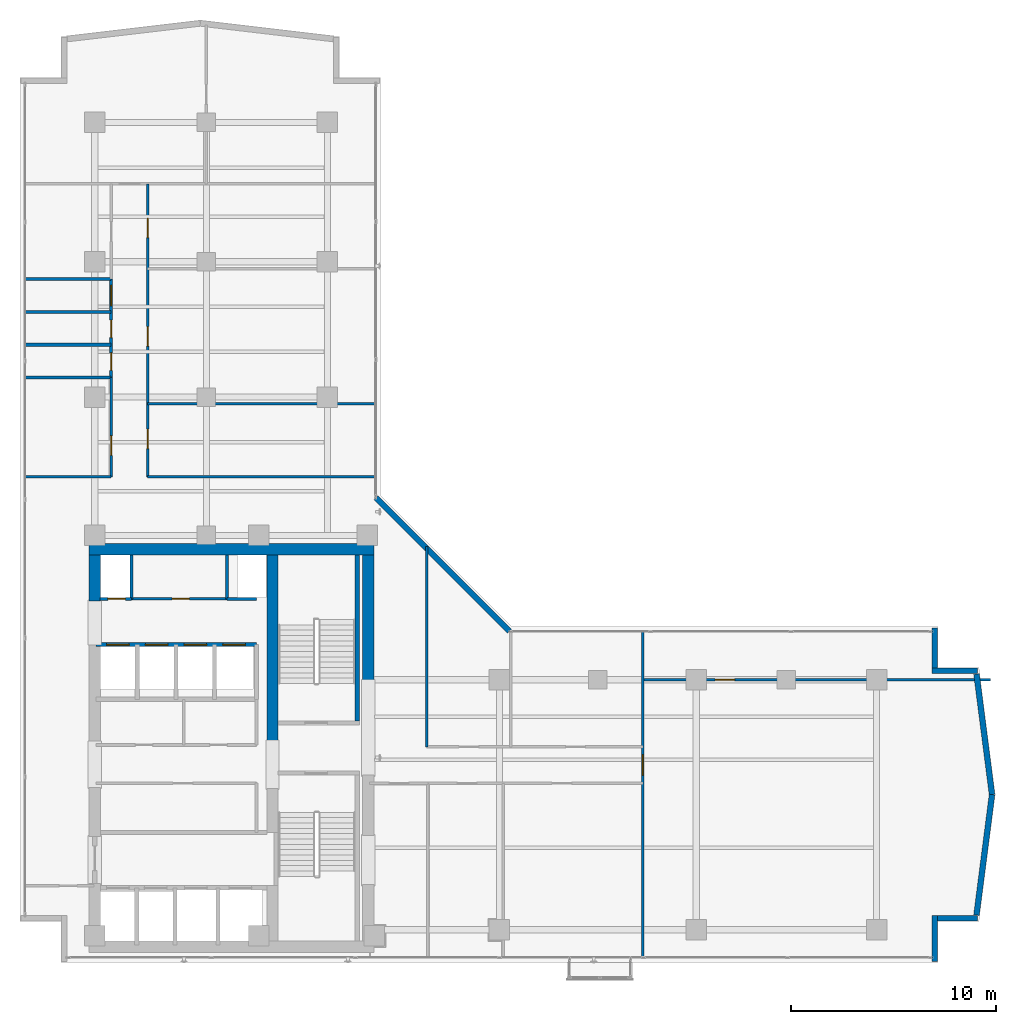
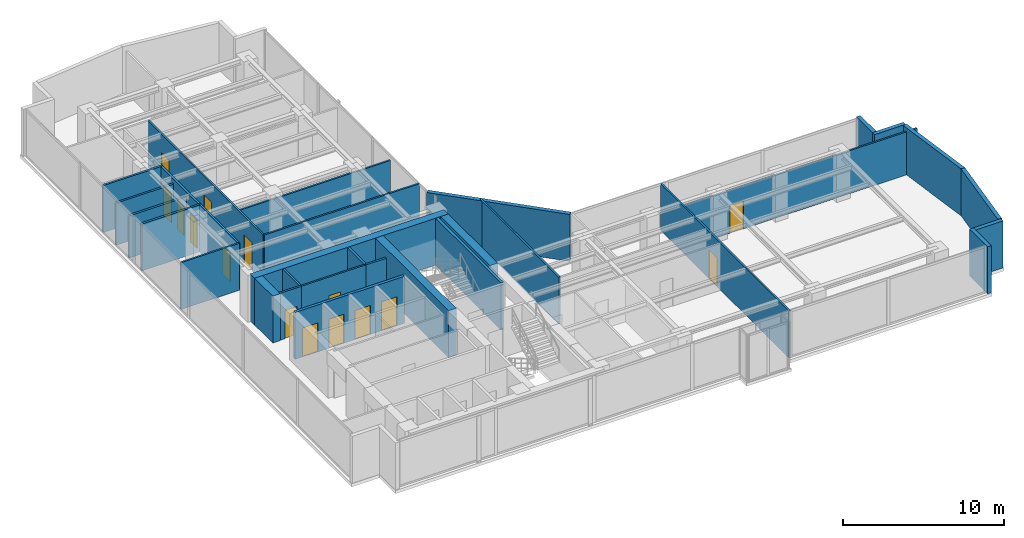
# One storey, part 18 of 23: 31 walls, 15 doors, 15 openings.
"""IFC4 building model written with IfcOpenShell, lengths in metres."""

from ifc_helpers import new_model, si_unit, direction, frame, frame_2d, origin, place, context, subcontext, project, spatial, rectangle, extrude, material, layer, layer_set, type_object, element, fill, save


model = new_model("IFC4")

# Units and contexts
model_context = context("Model", 3, precision=1e-05, world=origin(), true_north=direction((0.0, 1.0)))
body_context = subcontext(model_context, "Body", "Model", "MODEL_VIEW")
ifc_project = project(units=[si_unit("LENGTHUNIT", "METRE"), si_unit("AREAUNIT", "SQUARE_METRE"), si_unit("VOLUMEUNIT", "CUBIC_METRE"), si_unit("PLANEANGLEUNIT", "RADIAN"), si_unit("MASSUNIT", "GRAM", prefix="KILO")], contexts=[model_context])

# Site, building, storey
site_placement = place(None, origin())
site = spatial("IfcSite", under=ifc_project, at=site_placement, CompositionType="ELEMENT")
building_placement = place(site_placement, origin())
building = spatial("IfcBuilding", under=site, at=building_placement, Name="Kolvaren Waterfront Exchange", CompositionType="ELEMENT")
storey_placement = place(building_placement, frame((0.0, 0.0, 234.89990234375)))
storey = spatial("IfcBuildingStorey", under=building, at=storey_placement, Name="L60", CompositionType="ELEMENT", Elevation=234.89990234375)

# Walls
ifc_material_1 = material(Name="Precast concrete C40/50", Category="concrete")
ifc_layer_1 = layer(ifc_material_1, 0.280029296875, Name="Precast concrete C40/50")
ifc_layer_set_1 = layer_set([ifc_layer_1], Name="Precast concrete C40/50")
wall_type_1 = type_object("IfcWallType", Name="ARC-EXT-TERR-280", PredefinedType="SOLIDWALL", material=ifc_layer_set_1)
wall_1_placement = place(storey_placement, frame((48.43994140625, 3.659912109375, 0.0), z_axis=(0.0, 0.0, 1.0), x_axis=(0.0, 1.0, 0.0)))
element("IfcWall", 1, at=wall_1_placement, inside=storey, type_object=wall_type_1, Name="L60 notched corner spandrel pier SE-A", PredefinedType="SOLIDWALL", context=body_context, shape_type="SweptSolid", body=[
    extrude(rectangle(XDim=2.239990234375, YDim=0.280029296875, at=frame_2d((1.1201171875, 0.0))), origin(), (0.0, 0.0, 1.0), 3.56005859375),
])
wall_2_placement = place(storey_placement, frame((48.580078125, 5.760009765625, 0.0), z_axis=(0.0, 0.0, 1.0), x_axis=(1.0, 0.0, 0.0)))
element("IfcWall", 2, at=wall_2_placement, inside=storey, type_object=wall_type_1, Name="L60 notched corner spandrel pier SE-B", PredefinedType="SOLIDWALL", context=body_context, shape_type="SweptSolid", body=[
    extrude(rectangle(XDim=1.9599609375, YDim=0.280029296875, at=frame_2d((0.97998046875, 0.0))), origin(), (0.0, 0.0, 1.0), 3.56005859375),
])
wall_3_placement = place(storey_placement, frame((48.43994140625, 17.965087890625, 0.0), z_axis=(0.0, 0.0, 1.0), x_axis=(0.0, 1.0, 0.0)))
element("IfcWall", 3, at=wall_3_placement, inside=storey, type_object=wall_type_1, Name="L60 notched corner spandrel pier ENE-A", PredefinedType="SOLIDWALL", context=body_context, shape_type="SweptSolid", body=[
    extrude(rectangle(XDim=1.974853515625, YDim=0.280029296875, at=frame_2d((0.9873046875, 0.0))), origin(), (0.0, 0.0, 1.0), 3.56005859375),
])
wall_4_placement = place(storey_placement, frame((48.300048828125, 17.840087890625, 0.0), z_axis=(0.0, 0.0, 1.0), x_axis=(1.0, 0.0, 0.0)))
element("IfcWall", 4, at=wall_4_placement, inside=storey, type_object=wall_type_1, Name="L60 notched corner spandrel pier ENE-B", PredefinedType="SOLIDWALL", context=body_context, shape_type="SweptSolid", body=[
    extrude(rectangle(XDim=2.239990234375, YDim=0.280029296875, at=frame_2d((1.1201171875, 0.0))), origin(), (0.0, 0.0, 1.0), 3.56005859375),
])
wall_5_placement = place(storey_placement, frame((27.68505859375, 19.77490234375, 0.0), z_axis=(0.0, 0.0, 1.0), x_axis=(-0.707106781187, 0.707106781187, 0.0)))
element("IfcWall", 5, at=wall_5_placement, inside=storey, type_object=wall_type_1, Name="L60 notched corner spandrel pier ELBOW", PredefinedType="SOLIDWALL", context=body_context, shape_type="SweptSolid", body=[
    extrude(rectangle(XDim=9.20654296875, YDim=0.280029296875, at=frame_2d((4.603271484375, 0.0))), origin(), (0.0, 0.0, 1.0), 3.56005859375),
])
for number, where, z_axis, x_axis, name in (
    (6, (50.479736328125, 5.91796875, 0.0), (0.0, 0.0, 1.0), (0.127970031595, 0.991778035154, 0.0), "L60 east prow faceted facade wall 1"),
    (7, (51.23876953125, 11.79931640625, 0.0), (0.0, 0.0, 1.0), (-0.127970031595, 0.991778035154, 0.0), "L60 east prow faceted facade wall 2"),
):
    element("IfcWall", number, at=place(storey_placement, frame(where, z_axis=z_axis, x_axis=x_axis)), inside=storey, type_object=wall_type_1, Name=name, PredefinedType="SOLIDWALL", context=body_context, shape_type="SweptSolid", body=[
        extrude(rectangle(XDim=5.931396484375, YDim=0.280029296875, at=frame_2d((2.9658203125, 0.0))), origin(), (0.0, 0.0, 1.0), 3.56005859375),
    ])

# Wall, opening, door
ifc_material_2 = material(Name="Acoustic gypsum steel stud", Category="steel")
ifc_layer_2 = layer(ifc_material_2, 0.125, Name="Acoustic gypsum steel stud")
ifc_layer_set_2 = layer_set([ifc_layer_2], Name="Acoustic gypsum steel stud")
wall_type_2 = type_object("IfcWallType", Name="ARC-PART-125", PredefinedType="PARTITIONING", material=ifc_layer_set_2)
wall_6_placement = place(storey_placement, frame((9.25, 21.35009765625, 0.0), z_axis=(0.0, 0.0, 1.0), x_axis=(1.0, 0.0, 0.0)))
wall_6 = element("IfcWall", 8, at=wall_6_placement, inside=storey, type_object=wall_type_2, Name="L60 interior wall PW-L60-SVC-HI-S", PredefinedType="PARTITIONING", context=body_context, shape_type="SweptSolid", body=[
    extrude(rectangle(XDim=4.64990234375, YDim=0.125, at=frame_2d((2.324951171875, 0.0))), origin(), (0.0, 0.0, 1.0), 3.56005859375),
])
opening_1_placement = place(wall_6_placement, frame((1.971435546875, 0.0, 0.0)))
opening_1 = element("IfcOpeningElement", 9, at=opening_1_placement, cuts=wall_6, Name="Opening D01", PredefinedType="OPENING", context=body_context, shape_type="SweptSolid", body=[
    extrude(rectangle(XDim=0.85009765625, YDim=2.14990234375, at=frame_2d((0.425048828125, 1.074951171875))), frame((0.0, 0.072509765625, 0.0), z_axis=(0.0, -1.0, 0.0), x_axis=(1.0, 0.0, 0.0)), (0.0, 0.0, 1.0), 0.14501953125),
])
ifc_material_3 = material(Name="Oak veneer timber leaf", Category="wood")
door_type_1 = type_object("IfcDoorType", Name="ARC-DR-900", OperationType="NOTDEFINED", PredefinedType="DOOR", material=ifc_material_3)
door_1_placement = place(opening_1_placement, origin())
door_1 = element("IfcDoor", 10, at=door_1_placement, inside=storey, type_object=door_type_1, Name="L60 door DR-L60-SVC-DR-1 (D01)", OperationType="SINGLE_SWING_RIGHT", OverallHeight=2.14990234375, OverallWidth=0.85009765625, PredefinedType="DOOR", context=body_context, shape_type="SweptSolid", body=[
    extrude(rectangle(XDim=0.85009765625, YDim=2.14990234375, at=frame_2d((0.425048828125, 1.074951171875))), frame((0.0, 0.02490234375, 0.0), z_axis=(0.0, -1.0, 0.0), x_axis=(1.0, 0.0, 0.0)), (0.0, 0.0, 1.0), 0.050048828125),
])
fill(opening_1, door_1)

wall_7_placement = place(storey_placement, frame((8.25, 27.300048828125, 0.0), z_axis=(0.0, 0.0, 1.0), x_axis=(0.0, 1.0, 0.0)))
wall_7 = element("IfcWall", 11, at=wall_7_placement, inside=storey, type_object=wall_type_2, Name="L60 interior wall PW-L60-PREWC-E", PredefinedType="PARTITIONING", context=body_context, shape_type="SweptSolid", body=[
    extrude(rectangle(XDim=4.849853515625, YDim=0.125, at=frame_2d((2.4248046875, 0.0))), origin(), (0.0, 0.0, 1.0), 3.56005859375),
])
opening_2_placement = place(wall_7_placement, frame((1.050048828125, 0.0, 0.0)))
opening_2 = element("IfcOpeningElement", 12, at=opening_2_placement, cuts=wall_7, Name="Opening D02", PredefinedType="OPENING", context=body_context, shape_type="SweptSolid", body=[
    extrude(rectangle(XDim=0.949951171875, YDim=2.14990234375, at=frame_2d((0.47509765625, 1.074951171875))), frame((0.0, 0.072509765625, 0.0), z_axis=(0.0, -1.0, 0.0), x_axis=(1.0, 0.0, 0.0)), (0.0, 0.0, 1.0), 0.14501953125),
])
ifc_material_4 = material(Name="Oak veneer acoustic timber", Category="wood")
door_type_2 = type_object("IfcDoorType", Name="ARC-DR-950", OperationType="NOTDEFINED", PredefinedType="DOOR", material=ifc_material_4)
door_2_placement = place(opening_2_placement, origin())
door_2 = element("IfcDoor", 13, at=door_2_placement, inside=storey, type_object=door_type_2, Name="L60 door DR-L60-PREWC-D (D02)", OperationType="SINGLE_SWING_LEFT", OverallHeight=2.14990234375, OverallWidth=0.949951171875, PredefinedType="DOOR", context=body_context, shape_type="SweptSolid", body=[
    extrude(rectangle(XDim=0.949951171875, YDim=2.14990234375, at=frame_2d((0.47509765625, 1.074951171875))), frame((0.0, 0.02490234375, 0.0), z_axis=(0.0, -1.0, 0.0), x_axis=(1.0, 0.0, 0.0)), (0.0, 0.0, 1.0), 0.050048828125),
])
fill(opening_2, door_2)

# Wall
wall_8_placement = place(storey_placement, frame((4.0400390625, 27.300048828125, 0.0), z_axis=(0.0, 0.0, 1.0), x_axis=(1.0, 0.0, 0.0)))
element("IfcWall", 14, at=wall_8_placement, inside=storey, type_object=wall_type_2, Name="L60 interior wall PW-L60-PREWC-S", PredefinedType="PARTITIONING", context=body_context, shape_type="SweptSolid", body=[
    extrude(rectangle(XDim=4.2099609375, YDim=0.125, at=frame_2d((2.10498046875, 0.0))), origin(), (0.0, 0.0, 1.0), 3.56005859375),
])

# Wall, opening, door
wall_9_placement = place(storey_placement, frame((34.199951171875, 3.840087890625, 0.0), z_axis=(0.0, 0.0, 1.0), x_axis=(0.0, 1.0, 0.0)))
wall_9 = element("IfcWall", 15, at=wall_9_placement, inside=storey, type_object=wall_type_2, Name="L60 interior wall PW-L60-ETIP-W", PredefinedType="PARTITIONING", context=body_context, shape_type="SweptSolid", body=[
    extrude(rectangle(XDim=15.919921875, YDim=0.125, at=frame_2d((7.9599609375, 0.0))), origin(), (0.0, 0.0, 1.0), 3.56005859375),
])
opening_3_placement = place(wall_9_placement, frame((8.89990234375, 0.0, 0.0)))
opening_3 = element("IfcOpeningElement", 16, at=opening_3_placement, cuts=wall_9, Name="Opening D03", PredefinedType="OPENING", context=body_context, shape_type="SweptSolid", body=[
    extrude(rectangle(XDim=1.0, YDim=2.199951171875, at=frame_2d((0.5, 1.10009765625))), frame((0.0, 0.072509765625, 0.0), z_axis=(0.0, -1.0, 0.0), x_axis=(1.0, 0.0, 0.0)), (0.0, 0.0, 1.0), 0.14501953125),
])
ifc_material_5 = material(Name="Oak veneer accessible timber", Category="wood")
door_type_3 = type_object("IfcDoorType", Name="ARC-DR-1000", OperationType="NOTDEFINED", PredefinedType="DOOR", material=ifc_material_5)
door_3_placement = place(opening_3_placement, origin())
door_3 = element("IfcDoor", 17, at=door_3_placement, inside=storey, type_object=door_type_3, Name="L60 door DR-L60-ETIP1-D (D03)", OperationType="SINGLE_SWING_LEFT", OverallHeight=2.199951171875, OverallWidth=1.0, PredefinedType="DOOR", context=body_context, shape_type="SweptSolid", body=[
    extrude(rectangle(XDim=1.0, YDim=2.199951171875, at=frame_2d((0.5, 1.10009765625))), frame((0.0, 0.02490234375, 0.0), z_axis=(0.0, -1.0, 0.0), x_axis=(1.0, 0.0, 0.0)), (0.0, 0.0, 1.0), 0.050048828125),
])
fill(opening_3, door_3)

wall_10_placement = place(storey_placement, frame((34.199951171875, 17.39990234375, 0.0), z_axis=(0.0, 0.0, 1.0), x_axis=(1.0, 0.0, 0.0)))
wall_10 = element("IfcWall", 18, at=wall_10_placement, inside=storey, type_object=wall_type_2, Name="L60 interior wall PW-L60-ETIP-MID", PredefinedType="PARTITIONING", context=body_context, shape_type="SweptSolid", body=[
    extrude(rectangle(XDim=16.9599609375, YDim=0.125, at=frame_2d((8.47998046875, 0.0))), origin(), (0.0, 0.0, 1.0), 3.260009765625),
])
opening_4_placement = place(wall_10_placement, frame((3.52490234375, 0.0, 0.0)))
opening_4 = element("IfcOpeningElement", 19, at=opening_4_placement, cuts=wall_10, Name="Opening D02", PredefinedType="OPENING", context=body_context, shape_type="SweptSolid", body=[
    extrude(rectangle(XDim=0.949951171875, YDim=2.14990234375, at=frame_2d((0.47509765625, 1.074951171875))), frame((0.0, 0.072509765625, 0.0), z_axis=(0.0, -1.0, 0.0), x_axis=(1.0, 0.0, 0.0)), (0.0, 0.0, 1.0), 0.14501953125),
])
door_4_placement = place(opening_4_placement, origin())
door_4 = element("IfcDoor", 20, at=door_4_placement, inside=storey, type_object=door_type_2, Name="L60 door DR-L60-ETIP2-D (D02)", OperationType="SINGLE_SWING_RIGHT", OverallHeight=2.14990234375, OverallWidth=0.949951171875, PredefinedType="DOOR", context=body_context, shape_type="SweptSolid", body=[
    extrude(rectangle(XDim=0.949951171875, YDim=2.14990234375, at=frame_2d((0.47509765625, 1.074951171875))), frame((0.0, 0.02490234375, 0.0), z_axis=(0.0, -1.0, 0.0), x_axis=(1.0, 0.0, 0.0)), (0.0, 0.0, 1.0), 0.050048828125),
])
fill(opening_4, door_4)

# Walls
wall_11_placement = place(storey_placement, frame((23.64990234375, 14.1298828125, 0.0), z_axis=(0.0, 0.0, 1.0), x_axis=(0.0, 1.0, 0.0)))
element("IfcWall", 21, at=wall_11_placement, inside=storey, type_object=wall_type_2, Name="L60 interior wall PW-L60-EN-W0", PredefinedType="PARTITIONING", context=body_context, shape_type="SweptSolid", body=[
    extrude(rectangle(XDim=9.780029296875, YDim=0.125, at=frame_2d((4.89013671875, 0.0))), origin(), (0.0, 0.0, 1.0), 3.56005859375),
])
wall_12_placement = place(storey_placement, frame((10.030029296875, 27.300048828125, 0.0), z_axis=(0.0, 0.0, 1.0), x_axis=(1.0, 0.0, 0.0)))
element("IfcWall", 22, at=wall_12_placement, inside=storey, type_object=wall_type_2, Name="L60 interior wall PW-L60-NE-S0", PredefinedType="PARTITIONING", context=body_context, shape_type="SweptSolid", body=[
    extrude(rectangle(XDim=11.1298828125, YDim=0.125, at=frame_2d((5.56494140625, 0.0))), origin(), (0.0, 0.0, 1.0), 3.56005859375),
])

# Wall, openings, doors
wall_13_placement = place(storey_placement, frame((10.030029296875, 27.300048828125, 0.0), z_axis=(0.0, 0.0, 1.0), x_axis=(0.0, 1.0, 0.0)))
wall_13 = element("IfcWall", 23, at=wall_13_placement, inside=storey, type_object=wall_type_2, Name="L60 interior wall PW-L60-NE-CORR", PredefinedType="PARTITIONING", context=body_context, shape_type="SweptSolid", body=[
    extrude(rectangle(XDim=14.300048828125, YDim=0.125, at=frame_2d((7.14990234375, 0.0))), origin(), (0.0, 0.0, 1.0), 3.56005859375),
])
opening_5_placement = place(wall_13_placement, frame((1.385498046875, 0.0, 0.0)))
opening_5 = element("IfcOpeningElement", 24, at=opening_5_placement, cuts=wall_13, Name="Opening D02", PredefinedType="OPENING", context=body_context, shape_type="SweptSolid", body=[
    extrude(rectangle(XDim=0.949951171875, YDim=2.14990234375, at=frame_2d((0.47509765625, 1.074951171875))), frame((0.0, 0.072509765625, 0.0), z_axis=(0.0, -1.0, 0.0), x_axis=(1.0, 0.0, 0.0)), (0.0, 0.0, 1.0), 0.14501953125),
])
opening_6_placement = place(wall_13_placement, frame((6.389892578125, 0.0, 0.0)))
opening_6 = element("IfcOpeningElement", 25, at=opening_6_placement, cuts=wall_13, Name="Opening D02", PredefinedType="OPENING", context=body_context, shape_type="SweptSolid", body=[
    extrude(rectangle(XDim=0.949951171875, YDim=2.14990234375, at=frame_2d((0.47509765625, 1.074951171875))), frame((0.0, 0.072509765625, 0.0), z_axis=(0.0, -1.0, 0.0), x_axis=(1.0, 0.0, 0.0)), (0.0, 0.0, 1.0), 0.14501953125),
])
opening_7_placement = place(wall_13_placement, frame((11.679443359375, 0.0, 0.0)))
opening_7 = element("IfcOpeningElement", 26, at=opening_7_placement, cuts=wall_13, Name="Opening D02", PredefinedType="OPENING", context=body_context, shape_type="SweptSolid", body=[
    extrude(rectangle(XDim=0.949951171875, YDim=2.14990234375, at=frame_2d((0.47509765625, 1.074951171875))), frame((0.0, 0.072509765625, 0.0), z_axis=(0.0, -1.0, 0.0), x_axis=(1.0, 0.0, 0.0)), (0.0, 0.0, 1.0), 0.14501953125),
])
door_5_placement = place(opening_5_placement, origin())
door_5 = element("IfcDoor", 27, at=door_5_placement, inside=storey, type_object=door_type_2, Name="L60 door DR-L60-NE-D-1 (D02)", OperationType="SINGLE_SWING_RIGHT", OverallHeight=2.14990234375, OverallWidth=0.949951171875, PredefinedType="DOOR", context=body_context, shape_type="SweptSolid", body=[
    extrude(rectangle(XDim=0.949951171875, YDim=2.14990234375, at=frame_2d((0.47509765625, 1.074951171875))), frame((0.0, 0.02490234375, 0.0), z_axis=(0.0, -1.0, 0.0), x_axis=(1.0, 0.0, 0.0)), (0.0, 0.0, 1.0), 0.050048828125),
])
fill(opening_5, door_5)
door_6_placement = place(opening_6_placement, origin())
door_6 = element("IfcDoor", 28, at=door_6_placement, inside=storey, type_object=door_type_2, Name="L60 door DR-L60-NE-D-2 (D02)", OperationType="SINGLE_SWING_LEFT", OverallHeight=2.14990234375, OverallWidth=0.949951171875, PredefinedType="DOOR", context=body_context, shape_type="SweptSolid", body=[
    extrude(rectangle(XDim=0.949951171875, YDim=2.14990234375, at=frame_2d((0.47509765625, 1.074951171875))), frame((0.0, 0.02490234375, 0.0), z_axis=(0.0, -1.0, 0.0), x_axis=(1.0, 0.0, 0.0)), (0.0, 0.0, 1.0), 0.050048828125),
])
fill(opening_6, door_6)
door_7_placement = place(opening_7_placement, origin())
door_7 = element("IfcDoor", 29, at=door_7_placement, inside=storey, type_object=door_type_2, Name="L60 door DR-L60-NE-D-3 (D02)", OperationType="SINGLE_SWING_RIGHT", OverallHeight=2.14990234375, OverallWidth=0.949951171875, PredefinedType="DOOR", context=body_context, shape_type="SweptSolid", body=[
    extrude(rectangle(XDim=0.949951171875, YDim=2.14990234375, at=frame_2d((0.47509765625, 1.074951171875))), frame((0.0, 0.02490234375, 0.0), z_axis=(0.0, -1.0, 0.0), x_axis=(1.0, 0.0, 0.0)), (0.0, 0.0, 1.0), 0.050048828125),
])
fill(opening_7, door_7)

# Walls
wall_14_placement = place(storey_placement, frame((10.030029296875, 30.8798828125, 0.0), z_axis=(0.0, 0.0, 1.0), x_axis=(1.0, 0.0, 0.0)))
element("IfcWall", 30, at=wall_14_placement, inside=storey, type_object=wall_type_2, Name="L60 interior wall PW-L60-NE-DIV-1", PredefinedType="PARTITIONING", context=body_context, shape_type="SweptSolid", body=[
    extrude(rectangle(XDim=11.1298828125, YDim=0.125, at=frame_2d((5.56494140625, 0.0))), origin(), (0.0, 0.0, 1.0), 3.16015625),
])
ifc_material_6 = material(Name="Gypsum fireboard steel stud", Category="steel")
ifc_layer_3 = layer(ifc_material_6, 0.14990234375, Name="Gypsum fireboard steel stud")
ifc_layer_set_3 = layer_set([ifc_layer_3], Name="Gypsum fireboard steel stud")
wall_type_3 = type_object("IfcWallType", Name="ARC-PART-150", PredefinedType="PARTITIONING", material=ifc_layer_set_3)
for number, where, z_axis, x_axis, name in (
    (31, (9.25, 21.35009765625, 0.0), (0.0, 0.0, 1.0), (0.0, 1.0, 0.0), "L60 interior wall PW-L60-SVC-R1"),
    (32, (13.89990234375, 21.35009765625, 0.0), (0.0, 0.0, 1.0), (0.0, 1.0, 0.0), "L60 interior wall PW-L60-SVC-R2"),
):
    element("IfcWall", number, at=place(storey_placement, frame(where, z_axis=z_axis, x_axis=x_axis)), inside=storey, type_object=wall_type_3, Name=name, PredefinedType="PARTITIONING", context=body_context, shape_type="SweptSolid", body=[
        extrude(rectangle(XDim=2.1298828125, YDim=0.14990234375, at=frame_2d((1.06494140625, 0.0))), origin(), (0.0, 0.0, 1.0), 3.56005859375),
    ])

# Wall, opening, door
wall_15_placement = place(storey_placement, frame((7.699951171875, 21.35009765625, 0.0), z_axis=(0.0, 0.0, 1.0), x_axis=(1.0, 0.0, 0.0)))
wall_15 = element("IfcWall", 33, at=wall_15_placement, inside=storey, type_object=wall_type_3, Name="L60 interior wall PW-L60-SVC-RE-S", PredefinedType="PARTITIONING", context=body_context, shape_type="SweptSolid", body=[
    extrude(rectangle(XDim=1.550048828125, YDim=0.14990234375, at=frame_2d((0.77490234375, 0.0))), origin(), (0.0, 0.0, 1.0), 3.56005859375),
])
opening_8_placement = place(wall_15_placement, frame((0.389892578125, 0.0, 0.0)))
opening_8 = element("IfcOpeningElement", 34, at=opening_8_placement, cuts=wall_15, Name="Opening FD1", PredefinedType="OPENING", context=body_context, shape_type="SweptSolid", body=[
    extrude(rectangle(XDim=0.85009765625, YDim=2.14990234375, at=frame_2d((0.425048828125, 1.074951171875))), frame((0.0, 0.0849609375, 0.0), z_axis=(0.0, -1.0, 0.0), x_axis=(1.0, 0.0, 0.0)), (0.0, 0.0, 1.0), 0.169921875),
])
ifc_material_7 = material(Name="Pressed steel fire leaf", Category="steel")
door_type_4 = type_object("IfcDoorType", Name="ARC-FD-900", OperationType="NOTDEFINED", PredefinedType="DOOR", material=ifc_material_7)
door_8_placement = place(opening_8_placement, origin())
door_8 = element("IfcDoor", 35, at=door_8_placement, inside=storey, type_object=door_type_4, Name="L60 door DR-L60-RISER-E-DR (FD1)", OperationType="SINGLE_SWING_LEFT", OverallHeight=2.14990234375, OverallWidth=0.85009765625, PredefinedType="DOOR", context=body_context, shape_type="SweptSolid", body=[
    extrude(rectangle(XDim=0.85009765625, YDim=2.14990234375, at=frame_2d((0.425048828125, 1.074951171875))), frame((0.0, 0.02490234375, 0.0), z_axis=(0.0, -1.0, 0.0), x_axis=(1.0, 0.0, 0.0)), (0.0, 0.0, 1.0), 0.050048828125),
])
fill(opening_8, door_8)

# Walls
wall_16_placement = place(storey_placement, frame((13.89990234375, 21.35009765625, 0.0), z_axis=(0.0, 0.0, 1.0), x_axis=(1.0, 0.0, 0.0)))
element("IfcWall", 36, at=wall_16_placement, inside=storey, type_object=wall_type_3, Name="L60 interior wall PW-L60-SVC-RP-S", PredefinedType="PARTITIONING", context=body_context, shape_type="SweptSolid", body=[
    extrude(rectangle(XDim=1.4501953125, YDim=0.14990234375, at=frame_2d((0.72509765625, 0.0))), origin(), (0.0, 0.0, 1.0), 3.56005859375),
])
ifc_material_8 = material(Name="Moisture-resistant gypsum stud")
ifc_layer_4 = layer(ifc_material_8, 0.14990234375, Name="Moisture-resistant gypsum stud")
ifc_layer_set_4 = layer_set([ifc_layer_4], Name="Moisture-resistant gypsum stud")
wall_type_4 = type_object("IfcWallType", Name="ARC-PLUMB-150", PredefinedType="PLUMBINGWALL", material=ifc_layer_set_4)
wall_17_placement = place(storey_placement, frame((4.0400390625, 32.14990234375, 0.0), z_axis=(0.0, 0.0, 1.0), x_axis=(1.0, 0.0, 0.0)))
element("IfcWall", 37, at=wall_17_placement, inside=storey, type_object=wall_type_4, Name="L60 interior wall PW-L60-WC-0", PredefinedType="PLUMBINGWALL", context=body_context, shape_type="SweptSolid", body=[
    extrude(rectangle(XDim=4.2099609375, YDim=0.14990234375, at=frame_2d((2.10498046875, 0.0))), origin(), (0.0, 0.0, 1.0), 3.56005859375),
])

# Wall, openings, doors
wall_18_placement = place(storey_placement, frame((8.25, 32.14990234375, 0.0), z_axis=(0.0, 0.0, 1.0), x_axis=(0.0, 1.0, 0.0)))
wall_18 = element("IfcWall", 38, at=wall_18_placement, inside=storey, type_object=wall_type_4, Name="L60 interior wall PW-L60-WC-E", PredefinedType="PLUMBINGWALL", context=body_context, shape_type="SweptSolid", body=[
    extrude(rectangle(XDim=4.800048828125, YDim=0.14990234375, at=frame_2d((2.39990234375, 0.0))), origin(), (0.0, 0.0, 1.0), 3.56005859375),
])
opening_9_placement = place(wall_18_placement, frame((0.35009765625, 0.0, 0.0)))
opening_9 = element("IfcOpeningElement", 39, at=opening_9_placement, cuts=wall_18, Name="Opening D01", PredefinedType="OPENING", context=body_context, shape_type="SweptSolid", body=[
    extrude(rectangle(XDim=0.85009765625, YDim=2.14990234375, at=frame_2d((0.425048828125, 1.074951171875))), frame((0.0, 0.0849609375, 0.0), z_axis=(0.0, -1.0, 0.0), x_axis=(1.0, 0.0, 0.0)), (0.0, 0.0, 1.0), 0.169921875),
])
opening_10_placement = place(wall_18_placement, frame((1.949951171875, 0.0, 0.0)))
opening_10 = element("IfcOpeningElement", 40, at=opening_10_placement, cuts=wall_18, Name="Opening D01", PredefinedType="OPENING", context=body_context, shape_type="SweptSolid", body=[
    extrude(rectangle(XDim=0.85009765625, YDim=2.14990234375, at=frame_2d((0.425048828125, 1.074951171875))), frame((0.0, 0.0849609375, 0.0), z_axis=(0.0, -1.0, 0.0), x_axis=(1.0, 0.0, 0.0)), (0.0, 0.0, 1.0), 0.169921875),
])
opening_11_placement = place(wall_18_placement, frame((3.5, 0.0, 0.0)))
opening_11 = element("IfcOpeningElement", 41, at=opening_11_placement, cuts=wall_18, Name="Opening D03", PredefinedType="OPENING", context=body_context, shape_type="SweptSolid", body=[
    extrude(rectangle(XDim=1.0, YDim=2.199951171875, at=frame_2d((0.5, 1.10009765625))), frame((0.0, 0.0849609375, 0.0), z_axis=(0.0, -1.0, 0.0), x_axis=(1.0, 0.0, 0.0)), (0.0, 0.0, 1.0), 0.169921875),
])
door_9_placement = place(opening_11_placement, origin())
door_9 = element("IfcDoor", 42, at=door_9_placement, inside=storey, type_object=door_type_3, Name="L60 door DR-L60-WCA-D (D03)", OperationType="SINGLE_SWING_RIGHT", OverallHeight=2.199951171875, OverallWidth=1.0, PredefinedType="DOOR", context=body_context, shape_type="SweptSolid", body=[
    extrude(rectangle(XDim=1.0, YDim=2.199951171875, at=frame_2d((0.5, 1.10009765625))), frame((0.0, 0.02490234375, 0.0), z_axis=(0.0, -1.0, 0.0), x_axis=(1.0, 0.0, 0.0)), (0.0, 0.0, 1.0), 0.050048828125),
])
fill(opening_11, door_9)
door_10_placement = place(opening_9_placement, origin())
door_10 = element("IfcDoor", 43, at=door_10_placement, inside=storey, type_object=door_type_1, Name="L60 door DR-L60-WCM-D (D01)", OperationType="SINGLE_SWING_RIGHT", OverallHeight=2.14990234375, OverallWidth=0.85009765625, PredefinedType="DOOR", context=body_context, shape_type="SweptSolid", body=[
    extrude(rectangle(XDim=0.85009765625, YDim=2.14990234375, at=frame_2d((0.425048828125, 1.074951171875))), frame((0.0, 0.02490234375, 0.0), z_axis=(0.0, -1.0, 0.0), x_axis=(1.0, 0.0, 0.0)), (0.0, 0.0, 1.0), 0.050048828125),
])
fill(opening_9, door_10)
door_11_placement = place(opening_10_placement, origin())
door_11 = element("IfcDoor", 44, at=door_11_placement, inside=storey, type_object=door_type_1, Name="L60 door DR-L60-WCF-D (D01)", OperationType="SINGLE_SWING_LEFT", OverallHeight=2.14990234375, OverallWidth=0.85009765625, PredefinedType="DOOR", context=body_context, shape_type="SweptSolid", body=[
    extrude(rectangle(XDim=0.85009765625, YDim=2.14990234375, at=frame_2d((0.425048828125, 1.074951171875))), frame((0.0, 0.02490234375, 0.0), z_axis=(0.0, -1.0, 0.0), x_axis=(1.0, 0.0, 0.0)), (0.0, 0.0, 1.0), 0.050048828125),
])
fill(opening_10, door_11)

# Walls
for number, where, z_axis, x_axis, name in (
    (45, (4.0400390625, 33.75, 0.0), (0.0, 0.0, 1.0), (1.0, 0.0, 0.0), "L60 interior wall PW-L60-WC-1"),
    (46, (4.0400390625, 35.35009765625, 0.0), (0.0, 0.0, 1.0), (1.0, 0.0, 0.0), "L60 interior wall PW-L60-WC-2"),
):
    element("IfcWall", number, at=place(storey_placement, frame(where, z_axis=z_axis, x_axis=x_axis)), inside=storey, type_object=wall_type_4, Name=name, PredefinedType="PLUMBINGWALL", context=body_context, shape_type="SweptSolid", body=[
        extrude(rectangle(XDim=4.2099609375, YDim=0.14990234375, at=frame_2d((2.10498046875, 0.0))), origin(), (0.0, 0.0, 1.0), 3.2001953125),
    ])
wall_19_placement = place(storey_placement, frame((4.0400390625, 36.949951171875, 0.0), z_axis=(0.0, 0.0, 1.0), x_axis=(1.0, 0.0, 0.0)))
element("IfcWall", 47, at=wall_19_placement, inside=storey, type_object=wall_type_4, Name="L60 interior wall PW-L60-WC-3", PredefinedType="PLUMBINGWALL", context=body_context, shape_type="SweptSolid", body=[
    extrude(rectangle(XDim=4.2099609375, YDim=0.14990234375, at=frame_2d((2.10498046875, 0.0))), origin(), (0.0, 0.0, 1.0), 3.56005859375),
])
ifc_material_9 = material(Name="Concrete C40/50", Category="concrete")
ifc_layer_5 = layer(ifc_material_9, 0.199951171875, Name="Concrete C40/50")
ifc_layer_set_5 = layer_set([ifc_layer_5], Name="Concrete C40/50")
wall_type_5 = type_object("IfcWallType", Name="ARC-SHAFT-200", PredefinedType="PARTITIONING", material=ifc_layer_set_5)
wall_20_placement = place(storey_placement, frame((20.260009765625, 15.39990234375, 0.0), z_axis=(0.0, 0.0, 1.0), x_axis=(0.0, 1.0, 0.0)))
element("IfcWall", 48, at=wall_20_placement, inside=storey, type_object=wall_type_5, Name="L60 structural stairwell wall PW-L60-ST2-E", PredefinedType="SHEAR", context=body_context, shape_type="SweptSolid", body=[
    extrude(rectangle(XDim=8.090087890625, YDim=0.199951171875, at=frame_2d((4.044921875, 0.0))), origin(), (0.0, 0.0, 1.0), 3.56005859375),
])

# Wall, openings, doors
wall_21_placement = place(storey_placement, frame((7.5, 19.1201171875, 0.0), z_axis=(0.0, 0.0, 1.0), x_axis=(1.0, 0.0, 0.0)))
wall_21 = element("IfcWall", 49, at=wall_21_placement, inside=storey, type_object=wall_type_5, Name="L60 interior wall PW-L60-PH-N", PredefinedType="PARTITIONING", context=body_context, shape_type="SweptSolid", body=[
    extrude(rectangle(XDim=7.85009765625, YDim=0.199951171875, at=frame_2d((3.925048828125, 0.0))), origin(), (0.0, 0.0, 1.0), 3.56005859375),
])
opening_12_placement = place(wall_21_placement, frame((0.530029296875, 0.0, 0.0)))
opening_12 = element("IfcOpeningElement", 50, at=opening_12_placement, cuts=wall_21, Name="Opening LD2", PredefinedType="OPENING", context=body_context, shape_type="SweptSolid", body=[
    extrude(rectangle(XDim=1.10009765625, YDim=2.199951171875, at=frame_2d((0.550048828125, 1.10009765625))), frame((0.0, 0.10986328125, 0.0), z_axis=(0.0, -1.0, 0.0), x_axis=(1.0, 0.0, 0.0)), (0.0, 0.0, 1.0), 0.219970703125),
])
opening_13_placement = place(wall_21_placement, frame((2.419921875, 0.0, 0.0)))
opening_13 = element("IfcOpeningElement", 51, at=opening_13_placement, cuts=wall_21, Name="Opening LD2", PredefinedType="OPENING", context=body_context, shape_type="SweptSolid", body=[
    extrude(rectangle(XDim=1.10009765625, YDim=2.199951171875, at=frame_2d((0.550048828125, 1.10009765625))), frame((0.0, 0.10986328125, 0.0), z_axis=(0.0, -1.0, 0.0), x_axis=(1.0, 0.0, 0.0)), (0.0, 0.0, 1.0), 0.219970703125),
])
opening_14_placement = place(wall_21_placement, frame((4.31005859375, 0.0, 0.0)))
opening_14 = element("IfcOpeningElement", 52, at=opening_14_placement, cuts=wall_21, Name="Opening LD2", PredefinedType="OPENING", context=body_context, shape_type="SweptSolid", body=[
    extrude(rectangle(XDim=1.10009765625, YDim=2.199951171875, at=frame_2d((0.550048828125, 1.10009765625))), frame((0.0, 0.10986328125, 0.0), z_axis=(0.0, -1.0, 0.0), x_axis=(1.0, 0.0, 0.0)), (0.0, 0.0, 1.0), 0.219970703125),
])
opening_15_placement = place(wall_21_placement, frame((6.199951171875, 0.0, 0.0)))
opening_15 = element("IfcOpeningElement", 53, at=opening_15_placement, cuts=wall_21, Name="Opening LD2", PredefinedType="OPENING", context=body_context, shape_type="SweptSolid", body=[
    extrude(rectangle(XDim=1.10009765625, YDim=2.199951171875, at=frame_2d((0.550048828125, 1.10009765625))), frame((0.0, 0.10986328125, 0.0), z_axis=(0.0, -1.0, 0.0), x_axis=(1.0, 0.0, 0.0)), (0.0, 0.0, 1.0), 0.219970703125),
])
ifc_material_10 = material(Name="Brushed bronze sliding landing door", Category="aluminium")
door_type_5 = type_object("IfcDoorType", Name="ARC-LD-PAX", OperationType="SLIDING_TO_LEFT", PredefinedType="DOOR", material=ifc_material_10)
door_12_placement = place(opening_12_placement, origin())
door_12 = element("IfcDoor", 54, at=door_12_placement, inside=storey, type_object=door_type_5, Name="L60 door LD-L60-PH1 (LD2)", OperationType="SLIDING_TO_LEFT", OverallHeight=2.199951171875, OverallWidth=1.10009765625, PredefinedType="DOOR", context=body_context, shape_type="SweptSolid", body=[
    extrude(rectangle(XDim=1.10009765625, YDim=2.199951171875, at=frame_2d((0.550048828125, 1.10009765625))), frame((0.0, 0.02490234375, 0.0), z_axis=(0.0, -1.0, 0.0), x_axis=(1.0, 0.0, 0.0)), (0.0, 0.0, 1.0), 0.050048828125),
])
fill(opening_12, door_12)
door_13_placement = place(opening_13_placement, origin())
door_13 = element("IfcDoor", 55, at=door_13_placement, inside=storey, type_object=door_type_5, Name="L60 door LD-L60-PH2 (LD2)", OperationType="SLIDING_TO_LEFT", OverallHeight=2.199951171875, OverallWidth=1.10009765625, PredefinedType="DOOR", context=body_context, shape_type="SweptSolid", body=[
    extrude(rectangle(XDim=1.10009765625, YDim=2.199951171875, at=frame_2d((0.550048828125, 1.10009765625))), frame((0.0, 0.02490234375, 0.0), z_axis=(0.0, -1.0, 0.0), x_axis=(1.0, 0.0, 0.0)), (0.0, 0.0, 1.0), 0.050048828125),
])
fill(opening_13, door_13)
door_14_placement = place(opening_14_placement, origin())
door_14 = element("IfcDoor", 56, at=door_14_placement, inside=storey, type_object=door_type_5, Name="L60 door LD-L60-PH3 (LD2)", OperationType="SLIDING_TO_LEFT", OverallHeight=2.199951171875, OverallWidth=1.10009765625, PredefinedType="DOOR", context=body_context, shape_type="SweptSolid", body=[
    extrude(rectangle(XDim=1.10009765625, YDim=2.199951171875, at=frame_2d((0.550048828125, 1.10009765625))), frame((0.0, 0.02490234375, 0.0), z_axis=(0.0, -1.0, 0.0), x_axis=(1.0, 0.0, 0.0)), (0.0, 0.0, 1.0), 0.050048828125),
])
fill(opening_14, door_14)
door_15_placement = place(opening_15_placement, origin())
door_15 = element("IfcDoor", 57, at=door_15_placement, inside=storey, type_object=door_type_5, Name="L60 door LD-L60-PH4 (LD2)", OperationType="SLIDING_TO_LEFT", OverallHeight=2.199951171875, OverallWidth=1.10009765625, PredefinedType="DOOR", context=body_context, shape_type="SweptSolid", body=[
    extrude(rectangle(XDim=1.10009765625, YDim=2.199951171875, at=frame_2d((0.550048828125, 1.10009765625))), frame((0.0, 0.02490234375, 0.0), z_axis=(0.0, -1.0, 0.0), x_axis=(1.0, 0.0, 0.0)), (0.0, 0.0, 1.0), 0.050048828125),
])
fill(opening_15, door_15)

# Walls
ifc_material_11 = material(Name="Concrete C50/60", Category="concrete")
ifc_layer_6 = layer(ifc_material_11, 0.550048828125, Name="Concrete C50/60")
ifc_layer_set_6 = layer_set([ifc_layer_6], Name="Concrete C50/60")
wall_type_6 = type_object("IfcWallType", Name="STR-CWALL-550", PredefinedType="SHEAR", material=ifc_layer_set_6)
wall_22_placement = place(storey_placement, frame((7.175048828125, 23.77490234375, 0.0), z_axis=(0.0, 0.0, 1.0), x_axis=(1.0, 0.0, 0.0)))
element("IfcWall", 58, at=wall_22_placement, inside=storey, type_object=wall_type_6, Name="L60 rear-core shear wall N", PredefinedType="SHEAR", context=body_context, shape_type="SweptSolid", body=[
    extrude(rectangle(XDim=13.89990234375, YDim=0.550048828125, at=frame_2d((6.949951171875, 0.0))), origin(), (0.0, 0.0, 1.0), 3.56005859375),
])
wall_23_placement = place(storey_placement, frame((7.449951171875, 21.239990234375, 0.0), z_axis=(0.0, 0.0, 1.0), x_axis=(0.0, 1.0, 0.0)))
element("IfcWall", 59, at=wall_23_placement, inside=storey, type_object=wall_type_6, Name="L60 rear-core shear wall W3", PredefinedType="SHEAR", context=body_context, shape_type="SweptSolid", body=[
    extrude(rectangle(XDim=2.260009765625, YDim=0.550048828125, at=frame_2d((1.1298828125, 0.0))), origin(), (0.0, 0.0, 1.0), 3.56005859375),
])
wall_24_placement = place(storey_placement, frame((20.800048828125, 17.35009765625, 0.0), z_axis=(0.0, 0.0, 1.0), x_axis=(0.0, 1.0, 0.0)))
element("IfcWall", 60, at=wall_24_placement, inside=storey, type_object=wall_type_6, Name="L60 rear-core shear wall E3", PredefinedType="SHEAR", context=body_context, shape_type="SweptSolid", body=[
    extrude(rectangle(XDim=6.14990234375, YDim=0.550048828125, at=frame_2d((3.074951171875, 0.0))), origin(), (0.0, 0.0, 1.0), 3.56005859375),
])
wall_25_placement = place(storey_placement, frame((16.125, 14.39990234375, 0.0), z_axis=(0.0, 0.0, 1.0), x_axis=(0.0, 1.0, 0.0)))
element("IfcWall", 61, at=wall_25_placement, inside=storey, type_object=wall_type_6, Name="L60 rear-core shear wall M3", PredefinedType="SHEAR", context=body_context, shape_type="SweptSolid", body=[
    extrude(rectangle(XDim=9.10009765625, YDim=0.550048828125, at=frame_2d((4.550048828125, 0.0))), origin(), (0.0, 0.0, 1.0), 3.56005859375),
])

save(model, "model.ifc")
